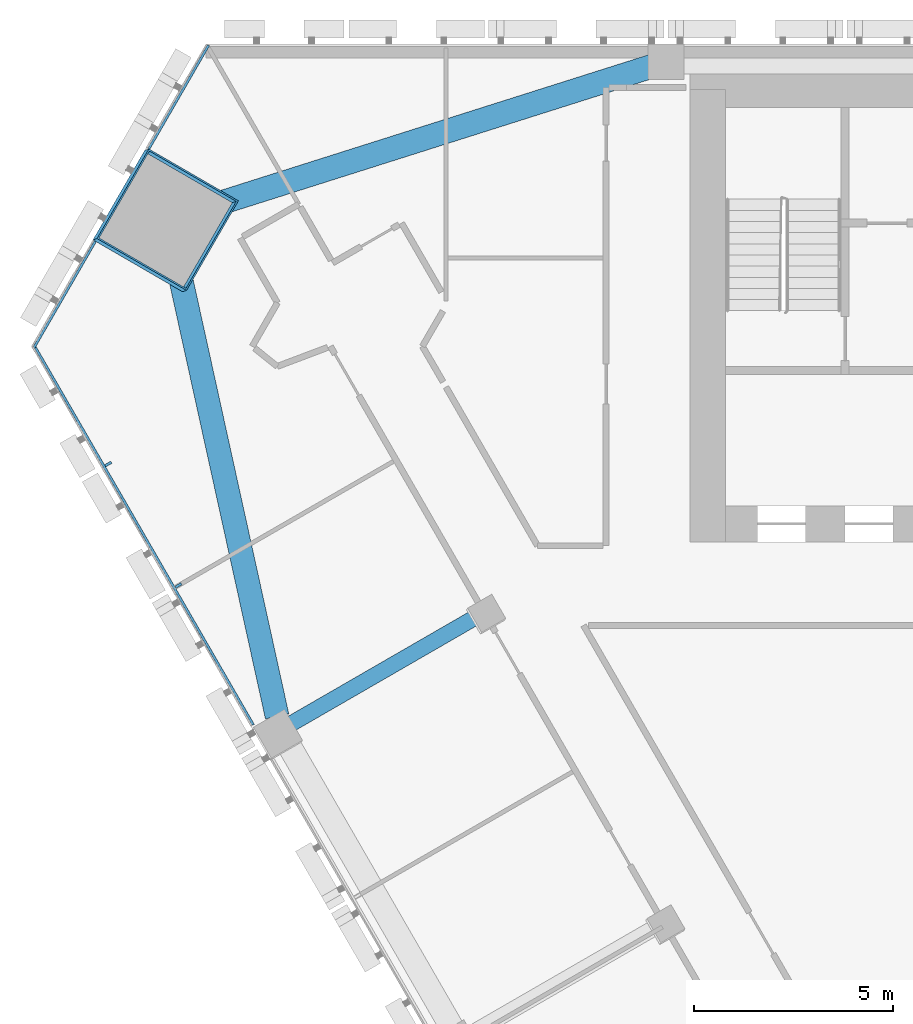
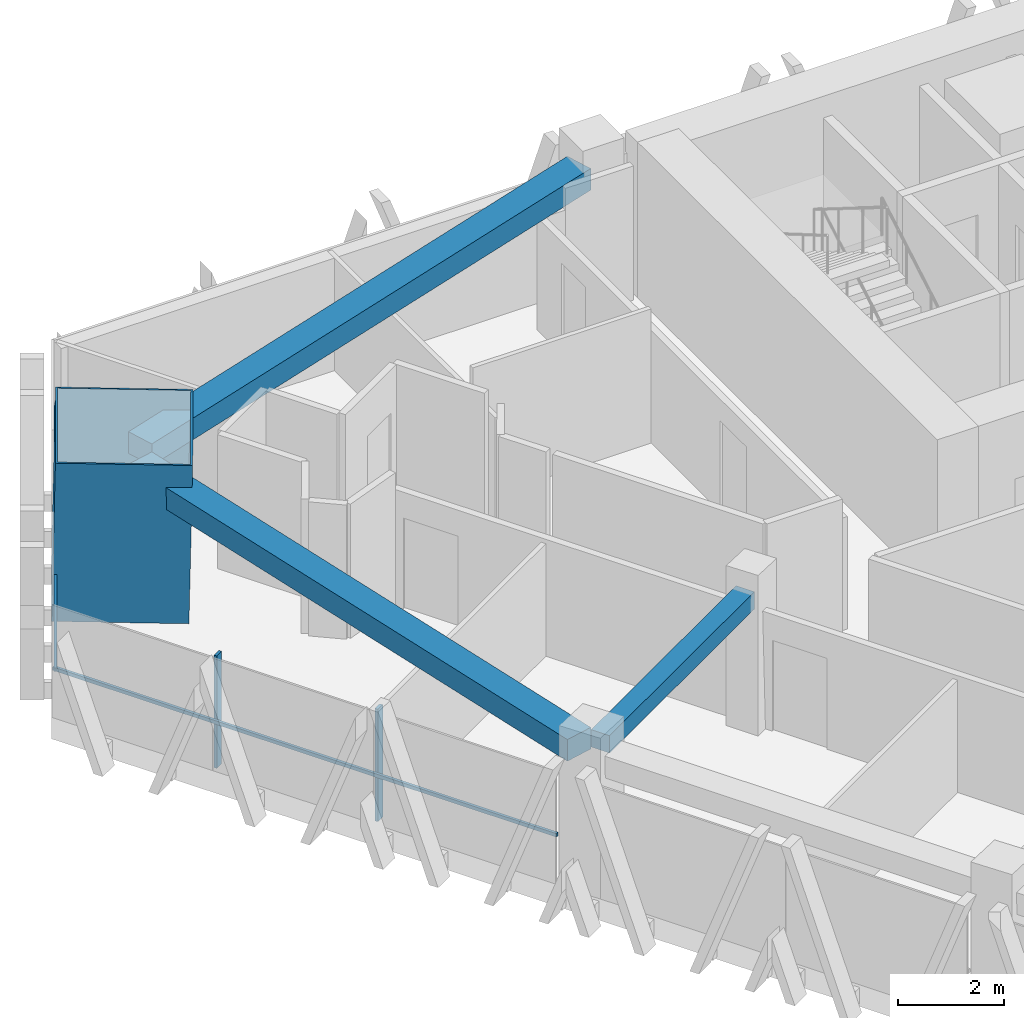
# One storey, part 5 of 16: 6 members, 3 beams, 2 elements without a shape of their own.
"""IFC4 building model written with IfcOpenShell, lengths in metres."""

from ifc_helpers import new_model, si_unit, direction, frame, origin, origin_2d, place, context, subcontext, project, spatial, rectangle, hollow_rectangle, extrude, material, layer, layer_set, material_profile, profile_set, type_object, element, aggregate, save


model = new_model("IFC4")

# Units and contexts
model_context = context("Model", 3, precision=1e-05, world=origin(), true_north=direction((0.0, 1.0)))
body_context = subcontext(model_context, "Body", "Model", "MODEL_VIEW")
ifc_project = project(units=[si_unit("LENGTHUNIT", "METRE"), si_unit("AREAUNIT", "SQUARE_METRE"), si_unit("VOLUMEUNIT", "CUBIC_METRE"), si_unit("PLANEANGLEUNIT", "RADIAN"), si_unit("MASSUNIT", "GRAM", prefix="KILO")], contexts=[model_context])

# Site, building, storey
site_placement = place(None, origin())
site = spatial("IfcSite", under=ifc_project, at=site_placement, CompositionType="ELEMENT")
building_placement = place(site_placement, origin())
building = spatial("IfcBuilding", under=site, at=building_placement, Name="Altiplano Prism Tower", CompositionType="ELEMENT")
storey_placement = place(building_placement, frame((0.0, 0.0, 84.60009765625)))
storey = spatial("IfcBuildingStorey", under=building, at=storey_placement, Name="L21", CompositionType="ELEMENT", Elevation=84.60009765625)

# Curtain wall, members
ifc_material_1 = material(Name="Aluminium and glass", Category="aluminium")
ifc_layer = layer(ifc_material_1, 0.280029296875)
ifc_layer_set = layer_set([ifc_layer], Name="Aluminium and glass")
curtain_wall_type = type_object("IfcCurtainWallType", Name="CW1 typical co-living unitised curtain wall", PredefinedType="NOTDEFINED", material=ifc_layer_set)
curtain_wall_1_placement = place(storey_placement, origin())
curtain_wall_1 = element("IfcCurtainWall", 1, at=curtain_wall_1_placement, inside=storey, type_object=curtain_wall_type, Name="CW1 curtain wall south-west face L21", PredefinedType="NOTDEFINED")
ifc_material_2 = material(Name="Aluminium", Category="aluminium")
ifc_material_profile_1 = material_profile(ifc_material_2, rectangle(XDim=0.179931640625, YDim=0.06494140625, at=origin_2d()), Name="CW1 mullion 65 x 180")
ifc_profile_set_1 = profile_set([ifc_material_profile_1], Name="Aluminium")
member_type_1 = type_object("IfcMemberType", Name="CW1 mullion 65 x 180", PredefinedType="MULLION", material=ifc_profile_set_1)
member_1_placement = place(storey_placement, frame((57.49658203125, 94.45068359375, 0.0), z_axis=(0.0, 0.0, 1.0), x_axis=(0.866025399238, 0.500000007875, 0.0)))
member_1 = element("IfcMember", 2, at=member_1_placement, type_object=member_type_1, Name="CW1 mullion", PredefinedType="MULLION", context=body_context, shape_type="SweptSolid", body=[
    extrude(rectangle(XDim=0.179931640625, YDim=0.06494140625, at=origin_2d()), origin(), (0.0, 0.0, 1.0), 2.599853515625),
])
member_2_placement = place(storey_placement, frame((59.2578125, 91.400146484375, 0.0), z_axis=(0.0, 0.0, 1.0), x_axis=(0.866025399238, 0.500000007875, 0.0)))
member_2 = element("IfcMember", 3, at=member_2_placement, type_object=member_type_1, Name="CW1 mullion", PredefinedType="MULLION", context=body_context, shape_type="SweptSolid", body=[
    extrude(rectangle(XDim=0.179931640625, YDim=0.06494140625, at=origin_2d()), origin(), (0.0, 0.0, 1.0), 2.599853515625),
])

curtain_wall_2_placement = place(storey_placement, origin())
curtain_wall_2 = element("IfcCurtainWall", 4, at=curtain_wall_2_placement, inside=storey, type_object=curtain_wall_type, Name="CW1 curtain wall north-west chamfer L21", PredefinedType="NOTDEFINED")
ifc_material_profile_2 = material_profile(ifc_material_2, rectangle(XDim=0.06005859375, YDim=0.080078125, at=origin_2d()), Name="CW1 transom 80 x 60")
ifc_profile_set_2 = profile_set([ifc_material_profile_2], Name="Aluminium")
member_type_2 = type_object("IfcMemberType", Name="CW1 transom 80 x 60", PredefinedType="USERDEFINED", material=ifc_profile_set_2)
member_3_placement = place(storey_placement, frame((60.015625, 104.965087890625, 1.099853515625), z_axis=(-0.499949909574, -0.866054321574, 0.0), x_axis=(0.866054321574, -0.499949909574, 0.0)))
member_3 = element("IfcMember", 5, at=member_3_placement, type_object=member_type_2, Name="CW1 transom", ObjectType="TRANSOM", PredefinedType="USERDEFINED", context=body_context, shape_type="SweptSolid", body=[
    extrude(rectangle(XDim=0.06005859375, YDim=0.080078125, at=origin_2d()), origin(), (0.0, 0.0, 1.0), 3.004150390625),
])
member_4_placement = place(storey_placement, frame((57.173583984375, 100.042236328125, 1.099853515625), z_axis=(-0.500046785451, -0.865998390507, 0.0), x_axis=(0.865998390507, -0.500046785451, 0.0)))
member_4 = element("IfcMember", 6, at=member_4_placement, type_object=member_type_2, Name="CW1 transom", ObjectType="TRANSOM", PredefinedType="USERDEFINED", context=body_context, shape_type="SweptSolid", body=[
    extrude(rectangle(XDim=0.06005859375, YDim=0.080078125, at=origin_2d()), origin(), (0.0, 0.0, 1.0), 3.084228515625),
])
aggregate(curtain_wall_2, [member_3, member_4])

# Member
member_5_placement = place(storey_placement, frame((55.63134765625, 97.441162109375, 1.099853515625), z_axis=(0.500010232583, -0.866019495919, 0.0), x_axis=(0.866019495919, 0.500010232583, 0.0)))
member_5 = element("IfcMember", 7, at=member_5_placement, type_object=member_type_2, Name="CW1 transom", ObjectType="TRANSOM", PredefinedType="USERDEFINED", context=body_context, shape_type="SweptSolid", body=[
    extrude(rectangle(XDim=0.06005859375, YDim=0.080078125, at=origin_2d()), origin(), (0.0, 0.0, 1.0), 11.015380859375),
])

aggregate(curtain_wall_1, [member_1, member_2, member_5])

# Beams
ifc_material_3 = material(Name="Concrete C60/75", Category="concrete")
ifc_material_profile_3 = material_profile(ifc_material_3, rectangle(XDim=0.60009765625, YDim=0.5, at=origin_2d()), Name="Edge beam 600x500")
ifc_profile_set_3 = profile_set([ifc_material_profile_3], Name="Concrete C60/75")
beam_type_1 = type_object("IfcBeamType", Name="Edge beam 600x500", PredefinedType="SPANDREL", material=ifc_profile_set_3)
for number, where, z_axis, x_axis, name in (
    (8, (71.164306640625, 104.443603515625, 2.849853515625), (-0.95329230734, -0.30204929526, 0.0), (0.30204929526, -0.95329230734, 0.0), "Edge beam P04-M0 L22"),
    (9, (59.087890625, 100.14697265625, 2.849853515625), (0.215054202361, -0.9766021145, 0.0), (0.9766021145, 0.215054202361, 0.0), "Edge beam M0-P11 L22"),
):
    element("IfcBeam", number, at=place(storey_placement, frame(where, z_axis=z_axis, x_axis=x_axis)), inside=storey, type_object=beam_type_1, Name=name, PredefinedType="SPANDREL", context=body_context, shape_type="SweptSolid", body=[
        extrude(rectangle(XDim=0.60009765625, YDim=0.5, at=origin_2d()), origin(), (0.0, 0.0, 1.0), 12.31982421875),
    ])

# Member
ifc_material_4 = material(Name="Steel S460", Category="steel")
ifc_material_profile_4 = material_profile(ifc_material_4, hollow_rectangle(XDim=2.60009765625, YDim=2.60009765625, WallThickness=0.0400390625, at=origin_2d()), Name="Mega column tube 2600")
ifc_profile_set_4 = profile_set([ifc_material_profile_4], Name="Steel S460")
member_type_3 = type_object("IfcMemberType", Name="Mega column tube 2600", PredefinedType="POST", material=ifc_profile_set_4)
member_6_placement = place(storey_placement, frame((58.888671875, 100.55322265625, 0.0), z_axis=(0.028403739082, 0.009219352065, 0.999554016126), x_axis=(-0.865122995266, 0.501162400879, 0.019961237606)))
element("IfcMember", 10, at=member_6_placement, inside=storey, type_object=member_type_3, Name="Mega column tube M0 L21", PredefinedType="POST", context=body_context, shape_type="SweptSolid", body=[
    extrude(hollow_rectangle(XDim=2.60009765625, YDim=2.60009765625, WallThickness=0.0400390625, at=origin_2d()), origin(), (0.0, 0.0, 1.0), 3.6015625),
])

# Beam
ifc_material_profile_5 = material_profile(ifc_material_3, rectangle(XDim=0.39990234375, YDim=0.39990234375, at=origin_2d()), Name="Tie beam 400x400")
ifc_profile_set_5 = profile_set([ifc_material_profile_5], Name="Concrete C60/75")
beam_type_2 = type_object("IfcBeamType", Name="Tie beam 400x400", PredefinedType="BEAM", material=ifc_profile_set_5)
beam_placement = place(storey_placement, frame((66.853271484375, 90.681640625, 2.89990234375), z_axis=(-0.866012292785, -0.50002270823, 0.0), x_axis=(0.50002270823, -0.866012292785, 0.0)))
element("IfcBeam", 11, at=beam_placement, inside=storey, type_object=beam_type_2, Name="Tie beam I11 L22", PredefinedType="BEAM", context=body_context, shape_type="SweptSolid", body=[
    extrude(rectangle(XDim=0.39990234375, YDim=0.39990234375, at=origin_2d()), origin(), (0.0, 0.0, 1.0), 5.489990234375),
])

save(model, "model.ifc")
